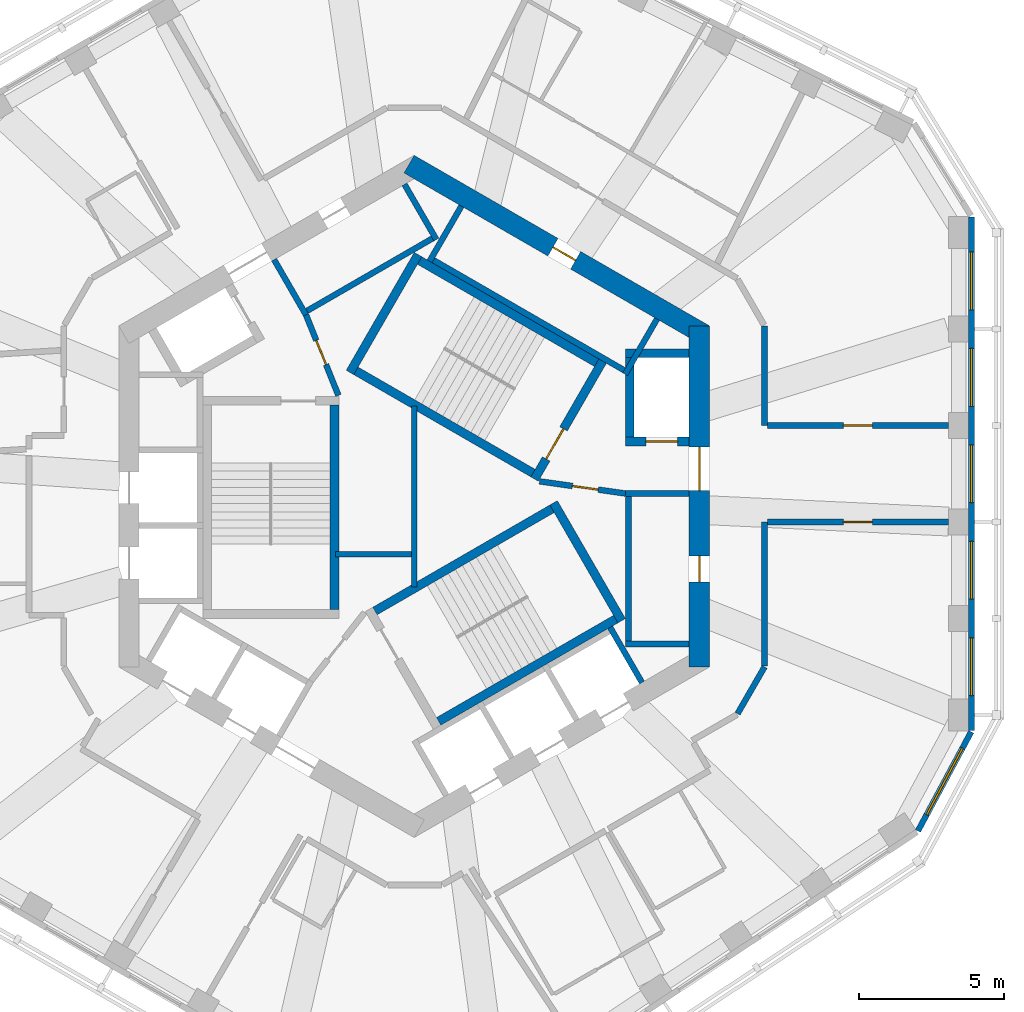
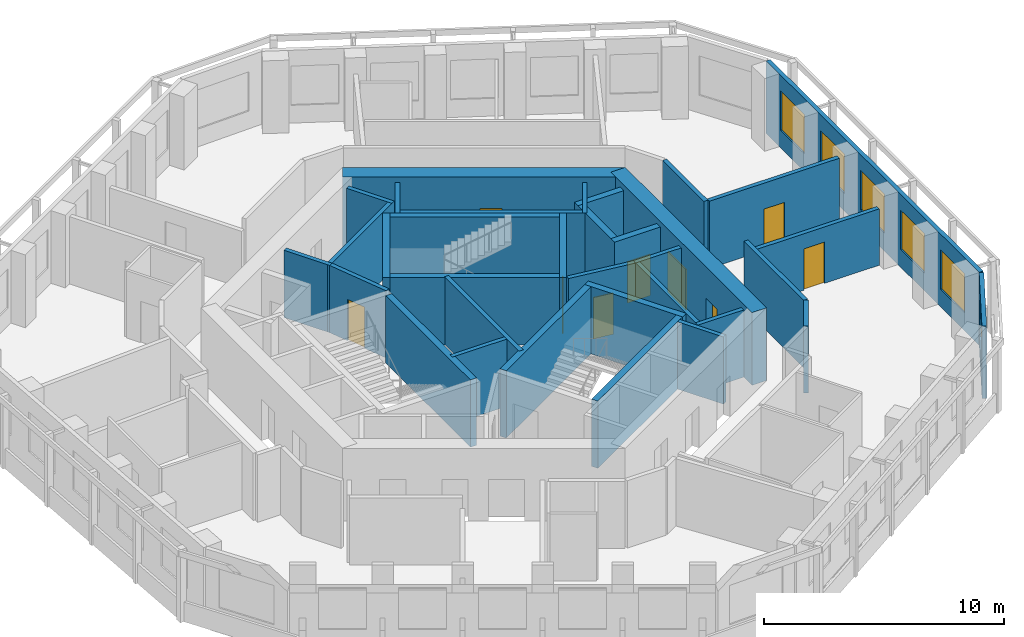
# One storey, part 6 of 10: 34 walls, 9 doors, 6 windows, 15 openings.
"""IFC4 building model written with IfcOpenShell, lengths in metres."""

from ifc_helpers import new_model, si_unit, direction, frame, frame_2d, origin, place, context, subcontext, project, spatial, rectangle, extrude, material, layer, layer_set, type_object, element, fill, save


model = new_model("IFC4")

# Units and contexts
model_context = context("Model", 3, precision=1e-05, world=origin(), true_north=direction((0.0, 1.0)))
body_context = subcontext(model_context, "Body", "Model", "MODEL_VIEW")
ifc_project = project(units=[si_unit("LENGTHUNIT", "METRE"), si_unit("AREAUNIT", "SQUARE_METRE"), si_unit("VOLUMEUNIT", "CUBIC_METRE"), si_unit("PLANEANGLEUNIT", "RADIAN"), si_unit("MASSUNIT", "GRAM", prefix="KILO")], contexts=[model_context])

# Site, building, storey
site_placement = place(None, origin())
site = spatial("IfcSite", under=ifc_project, at=site_placement, CompositionType="ELEMENT")
building_placement = place(site_placement, origin())
building = spatial("IfcBuilding", under=site, at=building_placement, Name="Vanh Sen Convention Tower", CompositionType="ELEMENT")
storey_placement = place(building_placement, frame((0.0, 0.0, 267.199951171875)))
storey = spatial("IfcBuildingStorey", under=building, at=storey_placement, Name="L66", CompositionType="ELEMENT", Elevation=267.199951171875)

# Wall, openings, doors
ifc_material_1 = material(Name="Concrete C60/75", Category="concrete")
ifc_layer_1 = layer(ifc_material_1, 0.699951171875)
ifc_layer_set_1 = layer_set([ifc_layer_1], Name="Concrete C60/75")
wall_type_1 = type_object("IfcWallType", Name="Core outer wall 700 C60/75", PredefinedType="SHEAR", material=ifc_layer_set_1)
wall_1_placement = place(storey_placement, frame((9.85009765625, -5.888916015625, 0.0), z_axis=(0.0, 0.0, 1.0), x_axis=(0.0, 1.0, 0.0)))
wall_1 = element("IfcWall", 1, at=wall_1_placement, inside=storey, type_object=wall_type_1, Name="Core wall face E L66", PredefinedType="SHEAR", context=body_context, shape_type="SweptSolid", body=[
    extrude(rectangle(XDim=11.77783203125, YDim=0.699951171875, at=frame_2d((5.888916015625, 0.0))), origin(), (0.0, 0.0, 1.0), 3.699951171875),
])
opening_1_placement = place(wall_1_placement, frame((6.089111328125, 0.0, 0.0)))
opening_1 = element("IfcOpeningElement", 2, at=opening_1_placement, cuts=wall_1, Name="Opening D64001", PredefinedType="OPENING", context=body_context, shape_type="SweptSolid", body=[
    extrude(rectangle(XDim=1.5, YDim=2.10009765625, at=frame_2d((0.75, 1.050048828125))), frame((0.0, 0.35986328125, 0.0), z_axis=(0.0, -1.0, 0.0), x_axis=(1.0, 0.0, 0.0)), (0.0, 0.0, 1.0), 0.719970703125),
])
opening_2_placement = place(wall_1_placement, frame((2.93896484375, 0.0, 0.0)))
opening_2 = element("IfcOpeningElement", 3, at=opening_2_placement, cuts=wall_1, Name="Opening D64010", PredefinedType="OPENING", context=body_context, shape_type="SweptSolid", body=[
    extrude(rectangle(XDim=0.89990234375, YDim=2.10009765625, at=frame_2d((0.449951171875, 1.050048828125))), frame((0.0, 0.35986328125, 0.0), z_axis=(0.0, -1.0, 0.0), x_axis=(1.0, 0.0, 0.0)), (0.0, 0.0, 1.0), 0.719970703125),
])
ifc_material_2 = material(Name="Steel S355", Category="steel")
door_type_1 = type_object("IfcDoorType", Name="Plant door 900", OperationType="SINGLE_SWING_LEFT", PredefinedType="DOOR", material=ifc_material_2)
door_1_placement = place(opening_2_placement, origin())
door_1 = element("IfcDoor", 4, at=door_1_placement, inside=storey, type_object=door_type_1, Name="Plant door D64010", OperationType="SINGLE_SWING_LEFT", OverallHeight=2.10009765625, OverallWidth=0.89990234375, PredefinedType="DOOR", context=body_context, shape_type="SweptSolid", body=[
    extrude(rectangle(XDim=0.89990234375, YDim=2.10009765625, at=frame_2d((0.449951171875, 1.050048828125))), frame((0.0, 0.02490234375, 0.0), z_axis=(0.0, -1.0, 0.0), x_axis=(1.0, 0.0, 0.0)), (0.0, 0.0, 1.0), 0.050048828125),
])
fill(opening_2, door_1)
door_type_2 = type_object("IfcDoorType", Name="Stair lobby door 1500", OperationType="DOUBLE_DOOR_SINGLE_SWING", PredefinedType="DOOR", material=ifc_material_2)
door_2_placement = place(opening_1_placement, origin())
door_2 = element("IfcDoor", 5, at=door_2_placement, inside=storey, type_object=door_type_2, Name="Stair lobby door D64001", OperationType="DOUBLE_DOOR_SINGLE_SWING", OverallHeight=2.10009765625, OverallWidth=1.5, PredefinedType="DOOR", context=body_context, shape_type="SweptSolid", body=[
    extrude(rectangle(XDim=1.5, YDim=2.10009765625, at=frame_2d((0.75, 1.050048828125))), frame((0.0, 0.02490234375, 0.0), z_axis=(0.0, -1.0, 0.0), x_axis=(1.0, 0.0, 0.0)), (0.0, 0.0, 1.0), 0.050048828125),
])
fill(opening_1, door_2)

# Wall, opening, door
wall_2_placement = place(storey_placement, frame((10.02490234375, 5.5859375, 0.0), z_axis=(0.0, 0.0, 1.0), x_axis=(-0.866026453023, 0.499998182661, 0.0)))
wall_2 = element("IfcWall", 6, at=wall_2_placement, inside=storey, type_object=wall_type_1, Name="Core wall face NE L66", PredefinedType="SHEAR", context=body_context, shape_type="SweptSolid", body=[
    extrude(rectangle(XDim=11.77783203125, YDim=0.699951171875, at=frame_2d((5.888916015625, 0.0))), origin(), (0.0, 0.0, 1.0), 3.699951171875),
])
opening_3_placement = place(wall_2_placement, frame((5.138916015625, 0.0, 0.0)))
opening_3 = element("IfcOpeningElement", 7, at=opening_3_placement, cuts=wall_2, Name="Opening D64011", PredefinedType="OPENING", context=body_context, shape_type="SweptSolid", body=[
    extrude(rectangle(XDim=0.89990234375, YDim=2.10009765625, at=frame_2d((0.449951171875, 1.050048828125))), frame((0.0, 0.35986328125, 0.0), z_axis=(0.0, -1.0, 0.0), x_axis=(1.0, 0.0, 0.0)), (0.0, 0.0, 1.0), 0.719970703125),
])
door_3_placement = place(opening_3_placement, origin())
door_3 = element("IfcDoor", 8, at=door_3_placement, inside=storey, type_object=door_type_1, Name="Plant door D64011", OperationType="SINGLE_SWING_LEFT", OverallHeight=2.10009765625, OverallWidth=0.89990234375, PredefinedType="DOOR", context=body_context, shape_type="SweptSolid", body=[
    extrude(rectangle(XDim=0.89990234375, YDim=2.10009765625, at=frame_2d((0.449951171875, 1.050048828125))), frame((0.0, 0.02490234375, 0.0), z_axis=(0.0, -1.0, 0.0), x_axis=(1.0, 0.0, 0.0)), (0.0, 0.0, 1.0), 0.050048828125),
])
fill(opening_3, door_3)

# Walls
ifc_material_3 = material(Name="Masonry blockwork", Category="masonry")
ifc_layer_2 = layer(ifc_material_3, 0.199951171875)
ifc_layer_set_2 = layer_set([ifc_layer_2], Name="Masonry blockwork")
wall_type_2 = type_object("IfcWallType", Name="Core partition 200", PredefinedType="PARTITIONING", material=ifc_layer_set_2)
wall_3_placement = place(storey_placement, frame((-2.719970703125, -2.0, 0.0), z_axis=(0.0, 0.0, 1.0), x_axis=(1.0, 0.0, 0.0)))
element("IfcWall", 9, at=wall_3_placement, inside=storey, type_object=wall_type_2, Name="Core partition L66", PredefinedType="PARTITIONING", context=body_context, shape_type="SweptSolid", body=[
    extrude(rectangle(XDim=2.619873046875, YDim=0.199951171875, at=frame_2d((1.31005859375, 0.0))), origin(), (0.0, 0.0, 1.0), 3.420166015625),
])
wall_4_placement = place(storey_placement, frame((0.0, -3.122314453125, 0.0), z_axis=(0.0, 0.0, 1.0), x_axis=(0.0, 1.0, 0.0)))
element("IfcWall", 10, at=wall_4_placement, inside=storey, type_object=wall_type_2, Name="Core partition L66", PredefinedType="PARTITIONING", context=body_context, shape_type="SweptSolid", body=[
    extrude(rectangle(XDim=6.24462890625, YDim=0.199951171875, at=frame_2d((3.122314453125, 0.0))), origin(), (0.0, 0.0, 1.0), 3.420166015625),
])
ifc_material_4 = material(Name="Gypsum board on steel studs with mineral wool", Category="steel")
ifc_layer_3 = layer(ifc_material_4, 0.199951171875)
ifc_layer_set_3 = layer_set([ifc_layer_3], Name="Gypsum board on steel studs with mineral wool")
wall_type_3 = type_object("IfcWallType", Name="Corridor partition wall 200", PredefinedType="PARTITIONING", material=ifc_layer_set_3)
wall_5_placement = place(storey_placement, frame((11.169921875, -7.5, 0.0), z_axis=(0.0, 0.0, 1.0), x_axis=(0.500006454166, 0.866021677438, 0.0)))
element("IfcWall", 11, at=wall_5_placement, inside=storey, type_object=wall_type_3, Name="Corridor partition wall 200", PredefinedType="PARTITIONING", context=body_context, shape_type="SweptSolid", body=[
    extrude(rectangle(XDim=1.8603515625, YDim=0.199951171875, at=frame_2d((0.93017578125, 0.0))), origin(), (0.0, 0.0, 1.0), 3.420166015625),
])
wall_6_placement = place(storey_placement, frame((12.10009765625, -5.84912109375, 0.0), z_axis=(0.0, 0.0, 1.0), x_axis=(0.0, 1.0, 0.0)))
element("IfcWall", 12, at=wall_6_placement, inside=storey, type_object=wall_type_3, Name="Corridor partition wall 200", PredefinedType="PARTITIONING", context=body_context, shape_type="SweptSolid", body=[
    extrude(rectangle(XDim=4.9658203125, YDim=0.199951171875, at=frame_2d((2.48291015625, 0.0))), origin(), (0.0, 0.0, 1.0), 3.420166015625),
])
wall_7_placement = place(storey_placement, frame((12.10009765625, 2.4482421875, 0.0), z_axis=(0.0, 0.0, 1.0), x_axis=(0.0, 1.0, 0.0)))
element("IfcWall", 13, at=wall_7_placement, inside=storey, type_object=wall_type_3, Name="Corridor partition wall 200", PredefinedType="PARTITIONING", context=body_context, shape_type="SweptSolid", body=[
    extrude(rectangle(XDim=3.440673828125, YDim=0.199951171875, at=frame_2d((1.72021484375, 0.0))), origin(), (0.0, 0.0, 1.0), 3.420166015625),
])

# Wall, opening, door
wall_8_placement = place(storey_placement, frame((12.199951171875, -0.88330078125, 0.0), z_axis=(0.0, 0.0, 1.0), x_axis=(1.0, 0.0, 0.0)))
wall_8 = element("IfcWall", 14, at=wall_8_placement, inside=storey, type_object=wall_type_3, Name="Corridor partition wall 200", PredefinedType="PARTITIONING", context=body_context, shape_type="SweptSolid", body=[
    extrude(rectangle(XDim=6.25, YDim=0.199951171875, at=frame_2d((3.125, 0.0))), origin(), (0.0, 0.0, 1.0), 2.8701171875),
])
opening_4_placement = place(wall_8_placement, frame((2.625, 0.0, 0.0)))
opening_4 = element("IfcOpeningElement", 15, at=opening_4_placement, cuts=wall_8, Name="Opening D64114", PredefinedType="OPENING", context=body_context, shape_type="SweptSolid", body=[
    extrude(rectangle(XDim=1.0, YDim=2.10009765625, at=frame_2d((0.5, 1.050048828125))), frame((0.0, 0.10986328125, 0.0), z_axis=(0.0, -1.0, 0.0), x_axis=(1.0, 0.0, 0.0)), (0.0, 0.0, 1.0), 0.219970703125),
])
ifc_material_5 = material(Name="Glazed fire door in steel frame", Category="steel")
door_type_3 = type_object("IfcDoorType", Name="Tenant entrance door 1000", OperationType="SINGLE_SWING_LEFT", PredefinedType="DOOR", material=ifc_material_5)
door_4_placement = place(opening_4_placement, origin())
door_4 = element("IfcDoor", 16, at=door_4_placement, inside=storey, type_object=door_type_3, Name="Tenant suite entrance door D64114", OperationType="SINGLE_SWING_LEFT", OverallHeight=2.10009765625, OverallWidth=1.0, PredefinedType="DOOR", context=body_context, shape_type="SweptSolid", body=[
    extrude(rectangle(XDim=1.0, YDim=2.10009765625, at=frame_2d((0.5, 1.050048828125))), frame((0.0, 0.02490234375, 0.0), z_axis=(0.0, -1.0, 0.0), x_axis=(1.0, 0.0, 0.0)), (0.0, 0.0, 1.0), 0.050048828125),
])
fill(opening_4, door_4)

wall_9_placement = place(storey_placement, frame((18.449951171875, 2.4482421875, 0.0), z_axis=(0.0, 0.0, 1.0), x_axis=(-1.0, 0.0, 0.0)))
wall_9 = element("IfcWall", 17, at=wall_9_placement, inside=storey, type_object=wall_type_3, Name="Corridor partition wall 200", PredefinedType="PARTITIONING", context=body_context, shape_type="SweptSolid", body=[
    extrude(rectangle(XDim=6.25, YDim=0.199951171875, at=frame_2d((3.125, 0.0))), origin(), (0.0, 0.0, 1.0), 3.420166015625),
])
opening_5_placement = place(wall_9_placement, frame((2.625, 0.0, 0.0)))
opening_5 = element("IfcOpeningElement", 18, at=opening_5_placement, cuts=wall_9, Name="Opening D64101", PredefinedType="OPENING", context=body_context, shape_type="SweptSolid", body=[
    extrude(rectangle(XDim=1.0, YDim=2.10009765625, at=frame_2d((0.5, 1.050048828125))), frame((0.0, 0.10986328125, 0.0), z_axis=(0.0, -1.0, 0.0), x_axis=(1.0, 0.0, 0.0)), (0.0, 0.0, 1.0), 0.219970703125),
])
ifc_material_6 = material(Name="Timber fire door in steel frame", Category="steel")
door_type_4 = type_object("IfcDoorType", Name="Floor room door 1000", OperationType="SINGLE_SWING_LEFT", PredefinedType="DOOR", material=ifc_material_6)
door_5_placement = place(opening_5_placement, origin())
door_5 = element("IfcDoor", 19, at=door_5_placement, inside=storey, type_object=door_type_4, Name="Meeting and amenity room door D64101", OperationType="SINGLE_SWING_LEFT", OverallHeight=2.10009765625, OverallWidth=1.0, PredefinedType="DOOR", context=body_context, shape_type="SweptSolid", body=[
    extrude(rectangle(XDim=1.0, YDim=2.10009765625, at=frame_2d((0.5, 1.050048828125))), frame((0.0, 0.02490234375, 0.0), z_axis=(0.0, -1.0, 0.0), x_axis=(1.0, 0.0, 0.0)), (0.0, 0.0, 1.0), 0.050048828125),
])
fill(opening_5, door_5)

# Wall, openings, windows
ifc_material_7 = material(Name="Insulated lightweight infill wall")
ifc_layer_4 = layer(ifc_material_7, 0.199951171875)
ifc_layer_set_4 = layer_set([ifc_layer_4], Name="Insulated lightweight infill wall")
wall_type_4 = type_object("IfcWallType", Name="External wall 200", PredefinedType="STANDARD", material=ifc_layer_set_4)
wall_10_placement = place(storey_placement, frame((19.25, -8.083984375, 0.0), z_axis=(0.0, 0.0, 1.0), x_axis=(0.0, 1.0, 0.0)))
wall_10 = element("IfcWall", 20, at=wall_10_placement, inside=storey, type_object=wall_type_4, Name="External wall E L66", PredefinedType="STANDARD", context=body_context, shape_type="SweptSolid", body=[
    extrude(rectangle(XDim=17.731201171875, YDim=0.199951171875, at=frame_2d((8.86572265625, 0.0))), origin(), (0.0, 0.0, 1.0), 3.699951171875),
])
opening_6_placement = place(wall_10_placement, frame((1.203125, 0.0, 0.89990234375)))
opening_6 = element("IfcOpeningElement", 21, at=opening_6_placement, cuts=wall_10, Name="Opening WO5-E1", PredefinedType="OPENING", context=body_context, shape_type="SweptSolid", body=[
    extrude(rectangle(XDim=2.0, YDim=2.0, at=frame_2d((1.0, 1.0))), frame((0.0, 0.10986328125, 0.0), z_axis=(0.0, -1.0, 0.0), x_axis=(1.0, 0.0, 0.0)), (0.0, 0.0, 1.0), 0.219970703125),
])
opening_7_placement = place(wall_10_placement, frame((4.534912109375, 0.0, 0.89990234375)))
opening_7 = element("IfcOpeningElement", 22, at=opening_7_placement, cuts=wall_10, Name="Opening WO5-E2", PredefinedType="OPENING", context=body_context, shape_type="SweptSolid", body=[
    extrude(rectangle(XDim=2.0, YDim=2.0, at=frame_2d((1.0, 1.0))), frame((0.0, 0.10986328125, 0.0), z_axis=(0.0, -1.0, 0.0), x_axis=(1.0, 0.0, 0.0)), (0.0, 0.0, 1.0), 0.219970703125),
])
opening_8_placement = place(wall_10_placement, frame((7.866455078125, 0.0, 0.89990234375)))
opening_8 = element("IfcOpeningElement", 23, at=opening_8_placement, cuts=wall_10, Name="Opening WO5-E3", PredefinedType="OPENING", context=body_context, shape_type="SweptSolid", body=[
    extrude(rectangle(XDim=2.0, YDim=2.0, at=frame_2d((1.0, 1.0))), frame((0.0, 0.10986328125, 0.0), z_axis=(0.0, -1.0, 0.0), x_axis=(1.0, 0.0, 0.0)), (0.0, 0.0, 1.0), 0.219970703125),
])
opening_9_placement = place(wall_10_placement, frame((11.197998046875, 0.0, 0.89990234375)))
opening_9 = element("IfcOpeningElement", 24, at=opening_9_placement, cuts=wall_10, Name="Opening WO5-E4", PredefinedType="OPENING", context=body_context, shape_type="SweptSolid", body=[
    extrude(rectangle(XDim=2.0, YDim=2.0, at=frame_2d((1.0, 1.0))), frame((0.0, 0.10986328125, 0.0), z_axis=(0.0, -1.0, 0.0), x_axis=(1.0, 0.0, 0.0)), (0.0, 0.0, 1.0), 0.219970703125),
])
opening_10_placement = place(wall_10_placement, frame((14.52978515625, 0.0, 0.89990234375)))
opening_10 = element("IfcOpeningElement", 25, at=opening_10_placement, cuts=wall_10, Name="Opening WO5-E5", PredefinedType="OPENING", context=body_context, shape_type="SweptSolid", body=[
    extrude(rectangle(XDim=2.0, YDim=2.0, at=frame_2d((1.0, 1.0))), frame((0.0, 0.10986328125, 0.0), z_axis=(0.0, -1.0, 0.0), x_axis=(1.0, 0.0, 0.0)), (0.0, 0.0, 1.0), 0.219970703125),
])
ifc_material_8 = material(Name="Aluminium frame with clear low-emissivity glass", Category="aluminium")
window_type_1 = type_object("IfcWindowType", Name="Office window 2000 x 2000", PartitioningType="SINGLE_PANEL", PredefinedType="WINDOW", material=ifc_material_8)
window_1_placement = place(opening_6_placement, origin())
window_1 = element("IfcWindow", 26, at=window_1_placement, inside=storey, type_object=window_type_1, Name="Window WO5-E1", OverallHeight=2.0, OverallWidth=2.0, PartitioningType="SINGLE_PANEL", PredefinedType="WINDOW", context=body_context, shape_type="SweptSolid", body=[
    extrude(rectangle(XDim=2.0, YDim=2.0, at=frame_2d((1.0, 1.0))), frame((0.0, 0.030029296875, 0.0), z_axis=(0.0, -1.0, 0.0), x_axis=(1.0, 0.0, 0.0)), (0.0, 0.0, 1.0), 0.06005859375),
])
fill(opening_6, window_1)
window_2_placement = place(opening_7_placement, origin())
window_2 = element("IfcWindow", 27, at=window_2_placement, inside=storey, type_object=window_type_1, Name="Window WO5-E2", OverallHeight=2.0, OverallWidth=2.0, PartitioningType="SINGLE_PANEL", PredefinedType="WINDOW", context=body_context, shape_type="SweptSolid", body=[
    extrude(rectangle(XDim=2.0, YDim=2.0, at=frame_2d((1.0, 1.0))), frame((0.0, 0.030029296875, 0.0), z_axis=(0.0, -1.0, 0.0), x_axis=(1.0, 0.0, 0.0)), (0.0, 0.0, 1.0), 0.06005859375),
])
fill(opening_7, window_2)
window_3_placement = place(opening_8_placement, origin())
window_3 = element("IfcWindow", 28, at=window_3_placement, inside=storey, type_object=window_type_1, Name="Window WO5-E3", OverallHeight=2.0, OverallWidth=2.0, PartitioningType="SINGLE_PANEL", PredefinedType="WINDOW", context=body_context, shape_type="SweptSolid", body=[
    extrude(rectangle(XDim=2.0, YDim=2.0, at=frame_2d((1.0, 1.0))), frame((0.0, 0.030029296875, 0.0), z_axis=(0.0, -1.0, 0.0), x_axis=(1.0, 0.0, 0.0)), (0.0, 0.0, 1.0), 0.06005859375),
])
fill(opening_8, window_3)
window_4_placement = place(opening_9_placement, origin())
window_4 = element("IfcWindow", 29, at=window_4_placement, inside=storey, type_object=window_type_1, Name="Window WO5-E4", OverallHeight=2.0, OverallWidth=2.0, PartitioningType="SINGLE_PANEL", PredefinedType="WINDOW", context=body_context, shape_type="SweptSolid", body=[
    extrude(rectangle(XDim=2.0, YDim=2.0, at=frame_2d((1.0, 1.0))), frame((0.0, 0.030029296875, 0.0), z_axis=(0.0, -1.0, 0.0), x_axis=(1.0, 0.0, 0.0)), (0.0, 0.0, 1.0), 0.06005859375),
])
fill(opening_9, window_4)
window_5_placement = place(opening_10_placement, origin())
window_5 = element("IfcWindow", 30, at=window_5_placement, inside=storey, type_object=window_type_1, Name="Window WO5-E5", OverallHeight=2.0, OverallWidth=2.0, PartitioningType="SINGLE_PANEL", PredefinedType="WINDOW", context=body_context, shape_type="SweptSolid", body=[
    extrude(rectangle(XDim=2.0, YDim=2.0, at=frame_2d((1.0, 1.0))), frame((0.0, 0.030029296875, 0.0), z_axis=(0.0, -1.0, 0.0), x_axis=(1.0, 0.0, 0.0)), (0.0, 0.0, 1.0), 0.06005859375),
])
fill(opening_10, window_5)

# Wall, opening, window
wall_11_placement = place(storey_placement, frame((17.39892578125, -11.55419921875, 0.0), z_axis=(0.0, 0.0, 1.0), x_axis=(0.473309051311, 0.880896442238, 0.0)))
wall_11 = element("IfcWall", 31, at=wall_11_placement, inside=storey, type_object=wall_type_4, Name="External wall CH6 L66", PredefinedType="STANDARD", context=body_context, shape_type="SweptSolid", body=[
    extrude(rectangle(XDim=3.8857421875, YDim=0.199951171875, at=frame_2d((1.94287109375, 0.0))), origin(), (0.0, 0.0, 1.0), 3.699951171875),
])
opening_11_placement = place(wall_11_placement, frame((0.642822265625, 0.0, 0.89990234375)))
opening_11 = element("IfcOpeningElement", 32, at=opening_11_placement, cuts=wall_11, Name="Opening WO6-CH61", PredefinedType="OPENING", context=body_context, shape_type="SweptSolid", body=[
    extrude(rectangle(XDim=2.60009765625, YDim=2.0, at=frame_2d((1.300048828125, 1.0))), frame((0.0, 0.10986328125, 0.0), z_axis=(0.0, -1.0, 0.0), x_axis=(1.0, 0.0, 0.0)), (0.0, 0.0, 1.0), 0.219970703125),
])
window_type_2 = type_object("IfcWindowType", Name="Office window 2600 x 2000", PartitioningType="SINGLE_PANEL", PredefinedType="WINDOW", material=ifc_material_8)
window_6_placement = place(opening_11_placement, origin())
window_6 = element("IfcWindow", 33, at=window_6_placement, inside=storey, type_object=window_type_2, Name="Window WO6-CH61", OverallHeight=2.0, OverallWidth=2.60009765625, PartitioningType="SINGLE_PANEL", PredefinedType="WINDOW", context=body_context, shape_type="SweptSolid", body=[
    extrude(rectangle(XDim=2.60009765625, YDim=2.0, at=frame_2d((1.300048828125, 1.0))), frame((0.0, 0.030029296875, 0.0), z_axis=(0.0, -1.0, 0.0), x_axis=(1.0, 0.0, 0.0)), (0.0, 0.0, 1.0), 0.06005859375),
])
fill(opening_11, window_6)

# Wall, opening, door
ifc_layer_5 = layer(ifc_material_1, 0.300048828125)
ifc_layer_set_5 = layer_set([ifc_layer_5], Name="Concrete C60/75")
wall_type_5 = type_object("IfcWallType", Name="Fire-fighting lift shaft wall 300", PredefinedType="SHEAR", material=ifc_layer_set_5)
wall_12_placement = place(storey_placement, frame((7.300048828125, 1.89990234375, 0.0), z_axis=(0.0, 0.0, 1.0), x_axis=(1.0, 0.0, 0.0)))
wall_12 = element("IfcWall", 34, at=wall_12_placement, inside=storey, type_object=wall_type_5, Name="Fire-fighting lift shaft wall L66", PredefinedType="SHEAR", context=body_context, shape_type="SweptSolid", body=[
    extrude(rectangle(XDim=2.199951171875, YDim=0.300048828125, at=frame_2d((1.10009765625, 0.0))), origin(), (0.0, 0.0, 1.0), 3.420166015625),
])
opening_12_placement = place(wall_12_placement, frame((0.699951171875, 0.0, 0.0)))
opening_12 = element("IfcOpeningElement", 35, at=opening_12_placement, cuts=wall_12, Name="Opening LD-FF1", PredefinedType="OPENING", context=body_context, shape_type="SweptSolid", body=[
    extrude(rectangle(XDim=1.10009765625, YDim=2.10009765625, at=frame_2d((0.550048828125, 1.050048828125))), frame((0.0, 0.159912109375, 0.0), z_axis=(0.0, -1.0, 0.0), x_axis=(1.0, 0.0, 0.0)), (0.0, 0.0, 1.0), 0.320068359375),
])
ifc_material_9 = material(Name="Stainless steel", Category="steel")
door_type_5 = type_object("IfcDoorType", Name="Fire-fighting lift landing door 1100", OperationType="DOUBLE_DOOR_SLIDING", PredefinedType="DOOR", material=ifc_material_9)
door_6_placement = place(opening_12_placement, origin())
door_6 = element("IfcDoor", 36, at=door_6_placement, inside=storey, type_object=door_type_5, Name="Lift FF1 landing door LD-FF1", OperationType="DOUBLE_DOOR_SLIDING", OverallHeight=2.10009765625, OverallWidth=1.10009765625, PredefinedType="DOOR", context=body_context, shape_type="SweptSolid", body=[
    extrude(rectangle(XDim=1.10009765625, YDim=2.10009765625, at=frame_2d((0.550048828125, 1.050048828125))), frame((0.0, 0.02490234375, 0.0), z_axis=(0.0, -1.0, 0.0), x_axis=(1.0, 0.0, 0.0)), (0.0, 0.0, 1.0), 0.050048828125),
])
fill(opening_12, door_6)

# Walls
wall_13_placement = place(storey_placement, frame((7.449951171875, 1.75, 0.0), z_axis=(0.0, 0.0, 1.0), x_axis=(0.0, 1.0, 0.0)))
element("IfcWall", 37, at=wall_13_placement, inside=storey, type_object=wall_type_5, Name="Fire-fighting lift shaft wall L66", PredefinedType="SHEAR", context=body_context, shape_type="SweptSolid", body=[
    extrude(rectangle(XDim=3.35009765625, YDim=0.300048828125, at=frame_2d((1.675048828125, 0.0))), origin(), (0.0, 0.0, 1.0), 3.420166015625),
])
wall_14_placement = place(storey_placement, frame((7.300048828125, 4.949951171875, 0.0), z_axis=(0.0, 0.0, 1.0), x_axis=(1.0, 0.0, 0.0)))
element("IfcWall", 38, at=wall_14_placement, inside=storey, type_object=wall_type_5, Name="Fire-fighting lift shaft wall L66", PredefinedType="SHEAR", context=body_context, shape_type="SweptSolid", body=[
    extrude(rectangle(XDim=2.199951171875, YDim=0.300048828125, at=frame_2d((1.10009765625, 0.0))), origin(), (0.0, 0.0, 1.0), 3.420166015625),
])
ifc_material_10 = material(Name="Concrete C40/50", Category="concrete")
ifc_layer_6 = layer(ifc_material_10, 0.199951171875)
ifc_layer_set_6 = layer_set([ifc_layer_6], Name="Concrete C40/50")
wall_type_6 = type_object("IfcWallType", Name="Lift shaft wall 200", PredefinedType="PARTITIONING", material=ifc_layer_set_6)
wall_15_placement = place(storey_placement, frame((7.39990234375, -5.199951171875, 0.0), z_axis=(0.0, 0.0, 1.0), x_axis=(0.0, 1.0, 0.0)))
element("IfcWall", 39, at=wall_15_placement, inside=storey, type_object=wall_type_6, Name="Lift shaft wall L66", PredefinedType="PARTITIONING", context=body_context, shape_type="SweptSolid", body=[
    extrude(rectangle(XDim=5.39990234375, YDim=0.199951171875, at=frame_2d((2.699951171875, 0.0))), origin(), (0.0, 0.0, 1.0), 3.420166015625),
])
for number, where, z_axis, x_axis, name in (
    (40, (7.300048828125, -5.10009765625, 0.0), (0.0, 0.0, 1.0), (1.0, 0.0, 0.0), "Lift shaft wall L66"),
    (41, (7.300048828125, 0.10009765625, 0.0), (0.0, 0.0, 1.0), (1.0, 0.0, 0.0), "Lift shaft wall L66"),
):
    element("IfcWall", number, at=place(storey_placement, frame(where, z_axis=z_axis, x_axis=x_axis)), inside=storey, type_object=wall_type_6, Name=name, PredefinedType="PARTITIONING", context=body_context, shape_type="SweptSolid", body=[
        extrude(rectangle(XDim=2.199951171875, YDim=0.199951171875, at=frame_2d((1.10009765625, 0.0))), origin(), (0.0, 0.0, 1.0), 3.420166015625),
    ])
wall_16_placement = place(storey_placement, frame((7.423828125, 4.258544921875, 0.0), z_axis=(0.0, 0.0, 1.0), x_axis=(-0.866026010844, 0.49999894854, 0.0)))
element("IfcWall", 42, at=wall_16_placement, inside=storey, type_object=wall_type_6, Name="Lift shaft wall L66", PredefinedType="PARTITIONING", context=body_context, shape_type="SweptSolid", body=[
    extrude(rectangle(XDim=8.0, YDim=0.199951171875, at=frame_2d((4.0, 0.0))), origin(), (0.0, 0.0, 1.0), 3.420166015625),
])
for number, where, z_axis, x_axis, name in (
    (43, (7.287353515625, 4.221923828125, 0.0), (0.0, 0.0, 1.0), (0.499946605688, 0.86605622881, 0.0), "Lift shaft wall L66"),
    (44, (0.5322265625, 8.1220703125, 0.0), (0.0, 0.0, 1.0), (0.500077893725, 0.86598042715, 0.0), "Lift shaft wall L66"),
):
    element("IfcWall", number, at=place(storey_placement, frame(where, z_axis=z_axis, x_axis=x_axis)), inside=storey, type_object=wall_type_6, Name=name, PredefinedType="PARTITIONING", context=body_context, shape_type="SweptSolid", body=[
        extrude(rectangle(XDim=2.199951171875, YDim=0.199951171875, at=frame_2d((1.10009765625, 0.0))), origin(), (0.0, 0.0, 1.0), 3.420166015625),
    ])
wall_17_placement = place(storey_placement, frame((0.80322265625, 9.008544921875, 0.0), z_axis=(0.0, 0.0, 1.0), x_axis=(-0.866028230842, -0.499995103361, 0.0)))
element("IfcWall", 45, at=wall_17_placement, inside=storey, type_object=wall_type_6, Name="Lift shaft wall L66", PredefinedType="PARTITIONING", context=body_context, shape_type="SweptSolid", body=[
    extrude(rectangle(XDim=5.39990234375, YDim=0.199951171875, at=frame_2d((2.699951171875, 0.0))), origin(), (0.0, 0.0, 1.0), 3.420166015625),
])
wall_18_placement = place(storey_placement, frame((0.7666015625, 8.8720703125, 0.0), z_axis=(0.0, 0.0, 1.0), x_axis=(-0.499994660107, 0.866028486751, 0.0)))
element("IfcWall", 46, at=wall_18_placement, inside=storey, type_object=wall_type_6, Name="Lift shaft wall L66", PredefinedType="PARTITIONING", context=body_context, shape_type="SweptSolid", body=[
    extrude(rectangle(XDim=2.19970703125, YDim=0.199951171875, at=frame_2d((1.099853515625, 0.0))), origin(), (0.0, 0.0, 1.0), 3.420166015625),
])
for number, where, z_axis, x_axis, name in (
    (47, (-3.736572265625, 6.27197265625, 0.0), (0.0, 0.0, 1.0), (-0.50002983664, 0.866008176907, 0.0), "Lift shaft wall L66"),
    (48, (6.767578125, -4.52197265625, 0.0), (0.0, 0.0, 1.0), (0.50002983664, -0.866008176907, 0.0), "Lift shaft wall L66"),
):
    element("IfcWall", number, at=place(storey_placement, frame(where, z_axis=z_axis, x_axis=x_axis)), inside=storey, type_object=wall_type_6, Name=name, PredefinedType="PARTITIONING", context=body_context, shape_type="SweptSolid", body=[
        extrude(rectangle(XDim=2.199951171875, YDim=0.199951171875, at=frame_2d((1.10009765625, 0.0))), origin(), (0.0, 0.0, 1.0), 3.420166015625),
    ])

# Wall, opening, door
ifc_layer_7 = layer(ifc_material_10, 0.199951171875)
ifc_layer_set_7 = layer_set([ifc_layer_7], Name="Concrete C40/50")
wall_type_7 = type_object("IfcWallType", Name="Stair lobby wall 200", PredefinedType="PARTITIONING", material=ifc_layer_set_7)
wall_19_placement = place(storey_placement, frame((4.327392578125, 0.52099609375, 0.0), z_axis=(0.0, 0.0, 1.0), x_axis=(0.990124376366, -0.14019172346, 0.0)))
wall_19 = element("IfcWall", 49, at=wall_19_placement, inside=storey, type_object=wall_type_7, Name="Stair lobby wall L66", PredefinedType="PARTITIONING", context=body_context, shape_type="SweptSolid", body=[
    extrude(rectangle(XDim=3.002197265625, YDim=0.199951171875, at=frame_2d((1.5009765625, 0.0))), origin(), (0.0, 0.0, 1.0), 3.420166015625),
])
opening_13_placement = place(wall_19_placement, frame((1.14990234375, 0.0, 0.0)))
opening_13 = element("IfcOpeningElement", 50, at=opening_13_placement, cuts=wall_19, Name="Opening D64007", PredefinedType="OPENING", context=body_context, shape_type="SweptSolid", body=[
    extrude(rectangle(XDim=0.89990234375, YDim=2.10009765625, at=frame_2d((0.449951171875, 1.050048828125))), frame((0.0, 0.10986328125, 0.0), z_axis=(0.0, -1.0, 0.0), x_axis=(1.0, 0.0, 0.0)), (0.0, 0.0, 1.0), 0.219970703125),
])
door_7_placement = place(opening_13_placement, origin())
door_7 = element("IfcDoor", 51, at=door_7_placement, inside=storey, type_object=door_type_1, Name="Plant door D64007", OperationType="SINGLE_SWING_LEFT", OverallHeight=2.10009765625, OverallWidth=0.89990234375, PredefinedType="DOOR", context=body_context, shape_type="SweptSolid", body=[
    extrude(rectangle(XDim=0.89990234375, YDim=2.10009765625, at=frame_2d((0.449951171875, 1.050048828125))), frame((0.0, 0.02490234375, 0.0), z_axis=(0.0, -1.0, 0.0), x_axis=(1.0, 0.0, 0.0)), (0.0, 0.0, 1.0), 0.050048828125),
])
fill(opening_13, door_7)

wall_20_placement = place(storey_placement, frame((-2.614990234375, 3.487060546875, 0.0), z_axis=(0.0, 0.0, 1.0), x_axis=(-0.373576831041, 0.92759924068, 0.0)))
wall_20 = element("IfcWall", 52, at=wall_20_placement, inside=storey, type_object=wall_type_7, Name="Stair lobby wall L66", PredefinedType="PARTITIONING", context=body_context, shape_type="SweptSolid", body=[
    extrude(rectangle(XDim=3.002197265625, YDim=0.199951171875, at=frame_2d((1.5009765625, 0.0))), origin(), (0.0, 0.0, 1.0), 3.420166015625),
])
opening_14_placement = place(wall_20_placement, frame((1.14990234375, 0.0, 0.0)))
opening_14 = element("IfcOpeningElement", 53, at=opening_14_placement, cuts=wall_20, Name="Opening D64008", PredefinedType="OPENING", context=body_context, shape_type="SweptSolid", body=[
    extrude(rectangle(XDim=0.89990234375, YDim=2.10009765625, at=frame_2d((0.449951171875, 1.050048828125))), frame((0.0, 0.10986328125, 0.0), z_axis=(0.0, -1.0, 0.0), x_axis=(1.0, 0.0, 0.0)), (0.0, 0.0, 1.0), 0.219970703125),
])
door_8_placement = place(opening_14_placement, origin())
door_8 = element("IfcDoor", 54, at=door_8_placement, inside=storey, type_object=door_type_1, Name="Plant door D64008", OperationType="SINGLE_SWING_LEFT", OverallHeight=2.10009765625, OverallWidth=0.89990234375, PredefinedType="DOOR", context=body_context, shape_type="SweptSolid", body=[
    extrude(rectangle(XDim=0.89990234375, YDim=2.10009765625, at=frame_2d((0.449951171875, 1.050048828125))), frame((0.0, 0.02490234375, 0.0), z_axis=(0.0, -1.0, 0.0), x_axis=(1.0, 0.0, 0.0)), (0.0, 0.0, 1.0), 0.050048828125),
])
fill(opening_14, door_8)

ifc_layer_8 = layer(ifc_material_1, 0.300048828125)
ifc_layer_set_8 = layer_set([ifc_layer_8], Name="Concrete C60/75")
wall_type_8 = type_object("IfcWallType", Name="Stair wall 300", PredefinedType="SHEAR", material=ifc_layer_set_8)
wall_21_placement = place(storey_placement, frame((4.157958984375, 0.601806640625, 0.0), z_axis=(0.0, 0.0, 1.0), x_axis=(0.499977259774, 0.866038532462, 0.0)))
wall_21 = element("IfcWall", 55, at=wall_21_placement, inside=storey, type_object=wall_type_8, Name="Stair wall L66", PredefinedType="SHEAR", context=body_context, shape_type="SweptSolid", body=[
    extrude(rectangle(XDim=4.699951171875, YDim=0.300048828125, at=frame_2d((2.35009765625, 0.0))), origin(), (0.0, 0.0, 1.0), 3.420166015625),
])
opening_15_placement = place(wall_21_placement, frame((0.800048828125, 0.0, 0.0)))
opening_15 = element("IfcOpeningElement", 56, at=opening_15_placement, cuts=wall_21, Name="Opening D64004", PredefinedType="OPENING", context=body_context, shape_type="SweptSolid", body=[
    extrude(rectangle(XDim=1.199951171875, YDim=2.10009765625, at=frame_2d((0.60009765625, 1.050048828125))), frame((0.0, 0.159912109375, 0.0), z_axis=(0.0, -1.0, 0.0), x_axis=(1.0, 0.0, 0.0)), (0.0, 0.0, 1.0), 0.320068359375),
])
door_type_6 = type_object("IfcDoorType", Name="Stair door 1200", OperationType="SINGLE_SWING_RIGHT", PredefinedType="DOOR", material=ifc_material_2)
door_9_placement = place(opening_15_placement, origin())
door_9 = element("IfcDoor", 57, at=door_9_placement, inside=storey, type_object=door_type_6, Name="Stair ST1 door D64004", OperationType="SINGLE_SWING_RIGHT", OverallHeight=2.10009765625, OverallWidth=1.199951171875, PredefinedType="DOOR", context=body_context, shape_type="SweptSolid", body=[
    extrude(rectangle(XDim=1.199951171875, YDim=2.10009765625, at=frame_2d((0.60009765625, 1.050048828125))), frame((0.0, 0.02490234375, 0.0), z_axis=(0.0, -1.0, 0.0), x_axis=(1.0, 0.0, 0.0)), (0.0, 0.0, 1.0), 0.050048828125),
])
fill(opening_15, door_9)

# Walls
wall_22_placement = place(storey_placement, frame((-2.216064453125, 4.28173828125, 0.0), z_axis=(0.0, 0.0, 1.0), x_axis=(0.499977259774, 0.866038532462, 0.0)))
element("IfcWall", 58, at=wall_22_placement, inside=storey, type_object=wall_type_8, Name="Stair wall L66", PredefinedType="SHEAR", context=body_context, shape_type="SweptSolid", body=[
    extrude(rectangle(XDim=4.699951171875, YDim=0.300048828125, at=frame_2d((2.35009765625, 0.0))), origin(), (0.0, 0.0, 1.0), 3.420166015625),
])
for number, where, z_axis, x_axis, name in (
    (59, (4.10302734375, 0.806640625, 0.0), (0.0, 0.0, 1.0), (-0.866027801685, 0.499995846692, 0.0), "Stair wall L66"),
    (60, (6.302978515625, 4.6171875, 0.0), (0.0, 0.0, 1.0), (-0.866027801685, 0.499995846692, 0.0), "Stair wall L66"),
):
    element("IfcWall", number, at=place(storey_placement, frame(where, z_axis=z_axis, x_axis=x_axis)), inside=storey, type_object=wall_type_8, Name=name, PredefinedType="SHEAR", context=body_context, shape_type="SweptSolid", body=[
        extrude(rectangle(XDim=7.06005859375, YDim=0.300048828125, at=frame_2d((3.530029296875, 0.0))), origin(), (0.0, 0.0, 1.0), 3.420166015625),
    ])
wall_23_placement = place(storey_placement, frame((-2.75, 3.14990234375, 0.0), z_axis=(0.0, 0.0, 1.0), x_axis=(0.0, -1.0, 0.0)))
element("IfcWall", 61, at=wall_23_placement, inside=storey, type_object=wall_type_8, Name="Stair wall L66", PredefinedType="SHEAR", context=body_context, shape_type="SweptSolid", body=[
    extrude(rectangle(XDim=7.059814453125, YDim=0.300048828125, at=frame_2d((3.52978515625, 0.0))), origin(), (0.0, 0.0, 1.0), 3.420166015625),
])
wall_24_placement = place(storey_placement, frame((4.816162109375, -0.2216796875, 0.0), z_axis=(0.0, 0.0, 1.0), x_axis=(0.499977259774, -0.866038532462, 0.0)))
element("IfcWall", 62, at=wall_24_placement, inside=storey, type_object=wall_type_8, Name="Stair wall L66", PredefinedType="SHEAR", context=body_context, shape_type="SweptSolid", body=[
    extrude(rectangle(XDim=4.699951171875, YDim=0.300048828125, at=frame_2d((2.35009765625, 0.0))), origin(), (0.0, 0.0, 1.0), 3.420166015625),
])
for number, where, z_axis, x_axis, name in (
    (63, (-1.35302734375, -3.95654296875, 0.0), (0.0, 0.0, 1.0), (0.866027801685, 0.499995846692, 0.0), "Stair wall L66"),
    (64, (0.846923828125, -7.76708984375, 0.0), (0.0, 0.0, 1.0), (0.866027801685, 0.499995846692, 0.0), "Stair wall L66"),
):
    element("IfcWall", number, at=place(storey_placement, frame(where, z_axis=z_axis, x_axis=x_axis)), inside=storey, type_object=wall_type_8, Name=name, PredefinedType="SHEAR", context=body_context, shape_type="SweptSolid", body=[
        extrude(rectangle(XDim=7.06005859375, YDim=0.300048828125, at=frame_2d((3.530029296875, 0.0))), origin(), (0.0, 0.0, 1.0), 3.420166015625),
    ])

save(model, "model.ifc")
